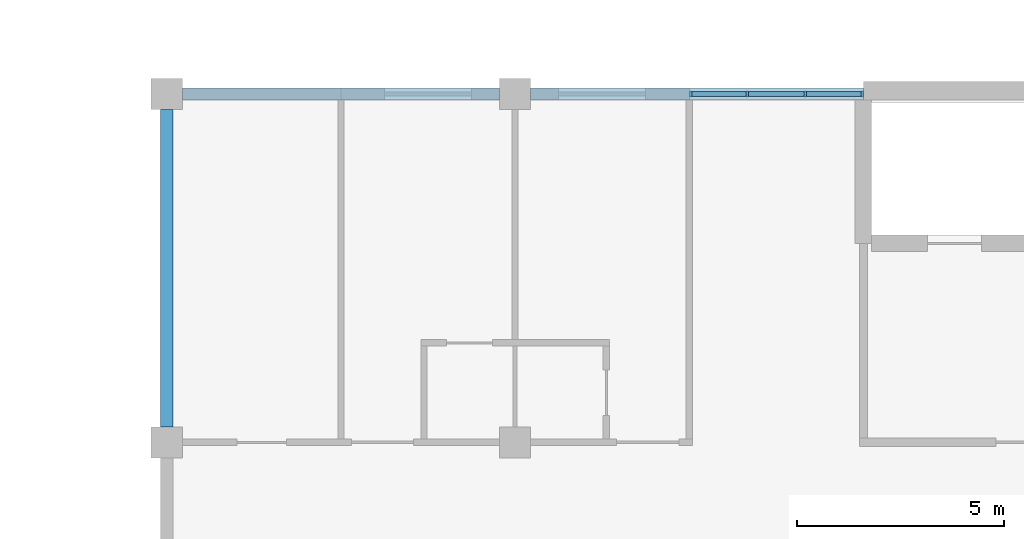
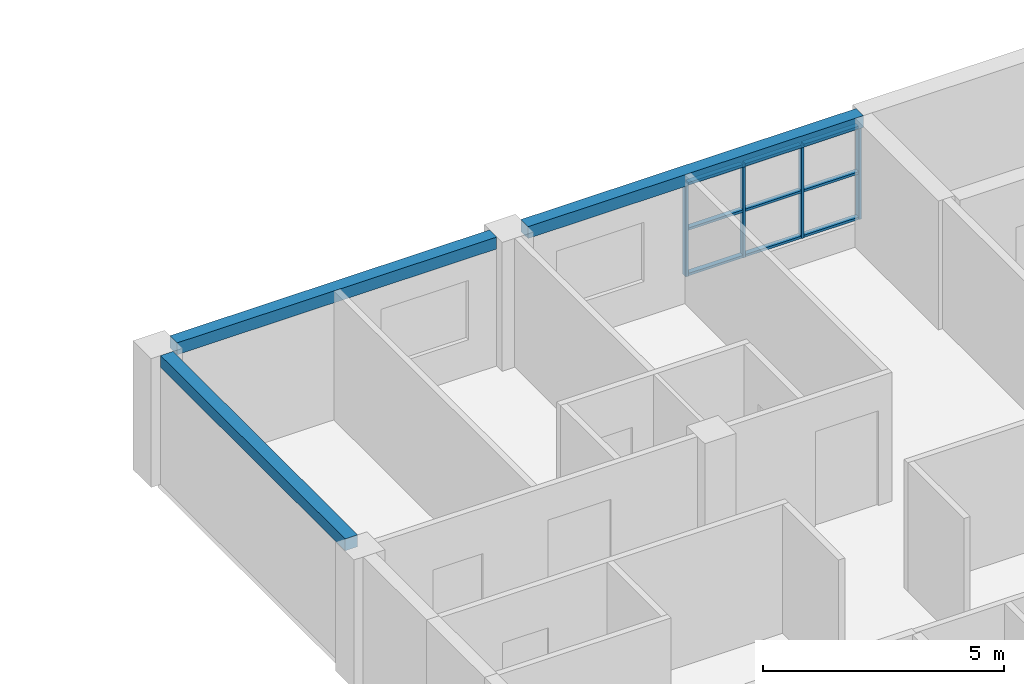
# One storey, part 10 of 46: 13 members, 3 beams, 1 element without a shape of its own.
"""IFC4 building model written with IfcOpenShell, lengths in metres."""

from ifc_helpers import new_model, si_unit, direction, frame, origin, origin_2d, place, context, subcontext, project, spatial, rectangle, extrude, material, material_profile, profile_set, type_object, element, aggregate, save


model = new_model("IFC4")

# Units and contexts
model_context = context("Model", 3, precision=1e-05, world=origin(), true_north=direction((0.0, 1.0)))
body_context = subcontext(model_context, "Body", "Model", "MODEL_VIEW")
ifc_project = project(units=[si_unit("LENGTHUNIT", "METRE"), si_unit("AREAUNIT", "SQUARE_METRE"), si_unit("VOLUMEUNIT", "CUBIC_METRE"), si_unit("PLANEANGLEUNIT", "RADIAN"), si_unit("MASSUNIT", "GRAM", prefix="KILO")], contexts=[model_context])

# Site, building, storey
site_placement = place(None, origin())
site = spatial("IfcSite", under=ifc_project, at=site_placement, CompositionType="ELEMENT")
building_placement = place(site_placement, origin())
building = spatial("IfcBuilding", under=site, at=building_placement, Name="Yavir Park General Hospital", CompositionType="ELEMENT")
storey_placement = place(building_placement, frame((0.0, 0.0, 18.89990234375)))
storey = spatial("IfcBuildingStorey", under=building, at=storey_placement, Name="L04", CompositionType="ELEMENT", Elevation=18.89990234375)

# Curtain wall, members
ifc_material_1 = material(Name="Aluminium curtain wall frame with insulated glazing", Category="aluminium")
curtain_wall_type = type_object("IfcCurtainWallType", Name="Day room pocket glazing, ward floors, 2360 high, 1400 module", PredefinedType="NOTDEFINED", material=ifc_material_1)
curtain_wall_placement = place(storey_placement, origin())
curtain_wall = element("IfcCurtainWall", 1, at=curtain_wall_placement, inside=storey, type_object=curtain_wall_type, Name="CW6 L04-010", PredefinedType="NOTDEFINED")
ifc_material_2 = material(Name="Aluminium", Category="aluminium")
ifc_material_profile_1 = material_profile(ifc_material_2, rectangle(XDim=0.139892578125, YDim=0.06005859375, at=origin_2d()), Name="AL 60x140")
ifc_profile_set_1 = profile_set([ifc_material_profile_1], Name="Aluminium")
member_type_1 = type_object("IfcMemberType", Name="Day room pocket glazing, ward floors, 2360 high mullion 60 x 140", PredefinedType="MULLION", material=ifc_profile_set_1)
member_1_placement = place(storey_placement, frame((113.429931640625, 25.199951171875, 0.60009765625), z_axis=(0.0, 0.0, 1.0), x_axis=(0.0, 1.0, 0.0)))
member_1 = element("IfcMember", 2, at=member_1_placement, type_object=member_type_1, Name="CW6 mullion 1", PredefinedType="MULLION", context=body_context, shape_type="SweptSolid", body=[
    extrude(rectangle(XDim=0.139892578125, YDim=0.06005859375, at=origin_2d()), origin(), (0.0, 0.0, 1.0), 2.360107421875),
])
member_2_placement = place(storey_placement, frame((114.800048828125, 25.199951171875, 0.60009765625), z_axis=(0.0, 0.0, 1.0), x_axis=(0.0, 1.0, 0.0)))
member_2 = element("IfcMember", 3, at=member_2_placement, type_object=member_type_1, Name="CW6 mullion 2", PredefinedType="MULLION", context=body_context, shape_type="SweptSolid", body=[
    extrude(rectangle(XDim=0.139892578125, YDim=0.06005859375, at=origin_2d()), origin(), (0.0, 0.0, 1.0), 2.360107421875),
])
member_3_placement = place(storey_placement, frame((116.199951171875, 25.199951171875, 0.60009765625), z_axis=(0.0, 0.0, 1.0), x_axis=(0.0, 1.0, 0.0)))
member_3 = element("IfcMember", 4, at=member_3_placement, type_object=member_type_1, Name="CW6 mullion 3", PredefinedType="MULLION", context=body_context, shape_type="SweptSolid", body=[
    extrude(rectangle(XDim=0.139892578125, YDim=0.06005859375, at=origin_2d()), origin(), (0.0, 0.0, 1.0), 2.360107421875),
])
member_4_placement = place(storey_placement, frame((117.570068359375, 25.199951171875, 0.60009765625), z_axis=(0.0, 0.0, 1.0), x_axis=(0.0, 1.0, 0.0)))
member_4 = element("IfcMember", 5, at=member_4_placement, type_object=member_type_1, Name="CW6 mullion 4", PredefinedType="MULLION", context=body_context, shape_type="SweptSolid", body=[
    extrude(rectangle(XDim=0.139892578125, YDim=0.06005859375, at=origin_2d()), origin(), (0.0, 0.0, 1.0), 2.360107421875),
])
ifc_material_3 = material(Name="Aluminium", Category="aluminium")
ifc_material_profile_2 = material_profile(ifc_material_3, rectangle(XDim=0.1201171875, YDim=0.06005859375, at=origin_2d()), Name="AL 120x60")
ifc_profile_set_2 = profile_set([ifc_material_profile_2], Name="Aluminium")
member_type_2 = type_object("IfcMemberType", Name="Day room pocket glazing, ward floors, 2360 high transom 60 x 120", PredefinedType="MULLION", material=ifc_profile_set_2)
member_5_placement = place(storey_placement, frame((113.4599609375, 25.199951171875, 0.630126953125), z_axis=(1.0, 0.0, 0.0), x_axis=(0.0, 1.0, 0.0)))
member_5 = element("IfcMember", 6, at=member_5_placement, type_object=member_type_2, Name="CW6 transom 1.1", PredefinedType="MULLION", context=body_context, shape_type="SweptSolid", body=[
    extrude(rectangle(XDim=0.1201171875, YDim=0.06005859375, at=origin_2d()), origin(), (0.0, 0.0, 1.0), 1.31005859375),
])
member_6_placement = place(storey_placement, frame((113.4599609375, 25.199951171875, 1.780029296875), z_axis=(1.0, 0.0, 0.0), x_axis=(0.0, 1.0, 0.0)))
member_6 = element("IfcMember", 7, at=member_6_placement, type_object=member_type_2, Name="CW6 transom 1.2", PredefinedType="MULLION", context=body_context, shape_type="SweptSolid", body=[
    extrude(rectangle(XDim=0.1201171875, YDim=0.06005859375, at=origin_2d()), origin(), (0.0, 0.0, 1.0), 1.31005859375),
])
member_7_placement = place(storey_placement, frame((113.4599609375, 25.199951171875, 2.93017578125), z_axis=(1.0, 0.0, 0.0), x_axis=(0.0, 1.0, 0.0)))
member_7 = element("IfcMember", 8, at=member_7_placement, type_object=member_type_2, Name="CW6 transom 1.3", PredefinedType="MULLION", context=body_context, shape_type="SweptSolid", body=[
    extrude(rectangle(XDim=0.1201171875, YDim=0.06005859375, at=origin_2d()), origin(), (0.0, 0.0, 1.0), 1.31005859375),
])
member_8_placement = place(storey_placement, frame((114.830078125, 25.199951171875, 0.630126953125), z_axis=(1.0, 0.0, 0.0), x_axis=(0.0, 1.0, 0.0)))
member_8 = element("IfcMember", 9, at=member_8_placement, type_object=member_type_2, Name="CW6 transom 2.1", PredefinedType="MULLION", context=body_context, shape_type="SweptSolid", body=[
    extrude(rectangle(XDim=0.1201171875, YDim=0.06005859375, at=origin_2d()), origin(), (0.0, 0.0, 1.0), 1.33984375),
])
member_9_placement = place(storey_placement, frame((114.830078125, 25.199951171875, 1.780029296875), z_axis=(1.0, 0.0, 0.0), x_axis=(0.0, 1.0, 0.0)))
member_9 = element("IfcMember", 10, at=member_9_placement, type_object=member_type_2, Name="CW6 transom 2.2", PredefinedType="MULLION", context=body_context, shape_type="SweptSolid", body=[
    extrude(rectangle(XDim=0.1201171875, YDim=0.06005859375, at=origin_2d()), origin(), (0.0, 0.0, 1.0), 1.33984375),
])
member_10_placement = place(storey_placement, frame((114.830078125, 25.199951171875, 2.93017578125), z_axis=(1.0, 0.0, 0.0), x_axis=(0.0, 1.0, 0.0)))
member_10 = element("IfcMember", 11, at=member_10_placement, type_object=member_type_2, Name="CW6 transom 2.3", PredefinedType="MULLION", context=body_context, shape_type="SweptSolid", body=[
    extrude(rectangle(XDim=0.1201171875, YDim=0.06005859375, at=origin_2d()), origin(), (0.0, 0.0, 1.0), 1.33984375),
])
member_11_placement = place(storey_placement, frame((116.22998046875, 25.199951171875, 0.630126953125), z_axis=(1.0, 0.0, 0.0), x_axis=(0.0, 1.0, 0.0)))
member_11 = element("IfcMember", 12, at=member_11_placement, type_object=member_type_2, Name="CW6 transom 3.1", PredefinedType="MULLION", context=body_context, shape_type="SweptSolid", body=[
    extrude(rectangle(XDim=0.1201171875, YDim=0.06005859375, at=origin_2d()), origin(), (0.0, 0.0, 1.0), 1.31005859375),
])
member_12_placement = place(storey_placement, frame((116.22998046875, 25.199951171875, 1.780029296875), z_axis=(1.0, 0.0, 0.0), x_axis=(0.0, 1.0, 0.0)))
member_12 = element("IfcMember", 13, at=member_12_placement, type_object=member_type_2, Name="CW6 transom 3.2", PredefinedType="MULLION", context=body_context, shape_type="SweptSolid", body=[
    extrude(rectangle(XDim=0.1201171875, YDim=0.06005859375, at=origin_2d()), origin(), (0.0, 0.0, 1.0), 1.31005859375),
])
member_13_placement = place(storey_placement, frame((116.22998046875, 25.199951171875, 2.93017578125), z_axis=(1.0, 0.0, 0.0), x_axis=(0.0, 1.0, 0.0)))
member_13 = element("IfcMember", 14, at=member_13_placement, type_object=member_type_2, Name="CW6 transom 3.3", PredefinedType="MULLION", context=body_context, shape_type="SweptSolid", body=[
    extrude(rectangle(XDim=0.1201171875, YDim=0.06005859375, at=origin_2d()), origin(), (0.0, 0.0, 1.0), 1.31005859375),
])
aggregate(curtain_wall, [member_1, member_2, member_3, member_4, member_5, member_6, member_7, member_8, member_9, member_10, member_11, member_12, member_13])

# Beams
ifc_material_4 = material(Name="Concrete C35/45", Category="concrete")
ifc_material_profile_3 = material_profile(ifc_material_4, rectangle(XDim=0.300048828125, YDim=0.300048828125, at=origin_2d()), Name="RC300x300")
ifc_profile_set_3 = profile_set([ifc_material_profile_3], Name="Concrete C35/45")
beam_type = type_object("IfcBeamType", Name="RC BEAM 300x300 edge beam", PredefinedType="BEAM", material=ifc_profile_set_3)
beam_1_placement = place(storey_placement, frame((101.175048828125, 25.199951171875, 3.110107421875), z_axis=(1.0, 0.0, 0.0), x_axis=(0.0, 1.0, 0.0)))
element("IfcBeam", 15, at=beam_1_placement, inside=storey, type_object=beam_type, Name="B:EDGE:L04:012", PredefinedType="BEAM", context=body_context, shape_type="SweptSolid", body=[
    extrude(rectangle(XDim=0.300048828125, YDim=0.300048828125, at=origin_2d()), origin(), (0.0, 0.0, 1.0), 7.64990234375),
])
beam_2_placement = place(storey_placement, frame((109.574951171875, 25.199951171875, 3.110107421875), z_axis=(1.0, 0.0, 0.0), x_axis=(0.0, 1.0, 0.0)))
element("IfcBeam", 16, at=beam_2_placement, inside=storey, type_object=beam_type, Name="B:EDGE:L04:013", PredefinedType="BEAM", context=body_context, shape_type="SweptSolid", body=[
    extrude(rectangle(XDim=0.300048828125, YDim=0.300048828125, at=origin_2d()), origin(), (0.0, 0.0, 1.0), 8.025146484375),
])
beam_3_placement = place(storey_placement, frame((100.800048828125, 17.175048828125, 3.110107421875), z_axis=(0.0, 1.0, 0.0), x_axis=(-1.0, 0.0, 0.0)))
element("IfcBeam", 17, at=beam_3_placement, inside=storey, type_object=beam_type, Name="B:EDGE:L04:036", PredefinedType="BEAM", context=body_context, shape_type="SweptSolid", body=[
    extrude(rectangle(XDim=0.300048828125, YDim=0.300048828125, at=origin_2d()), origin(), (0.0, 0.0, 1.0), 7.64990234375),
])

save(model, "model.ifc")
